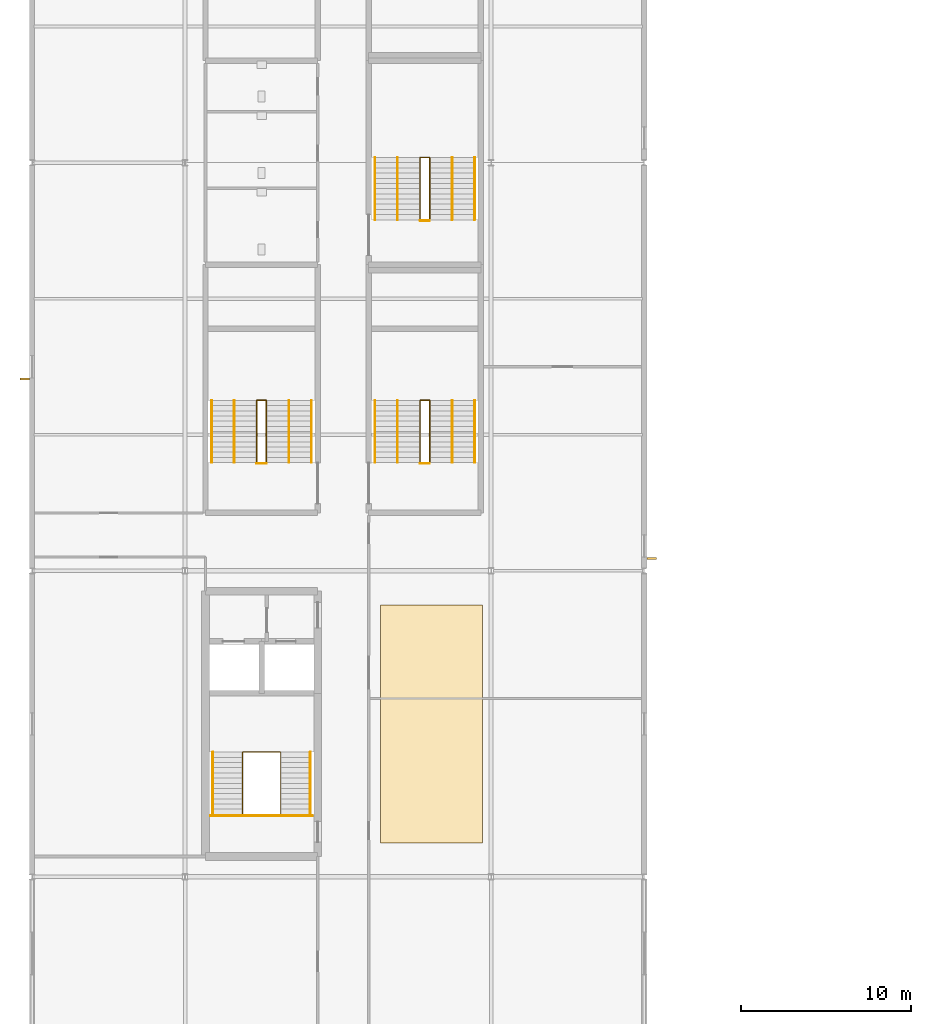
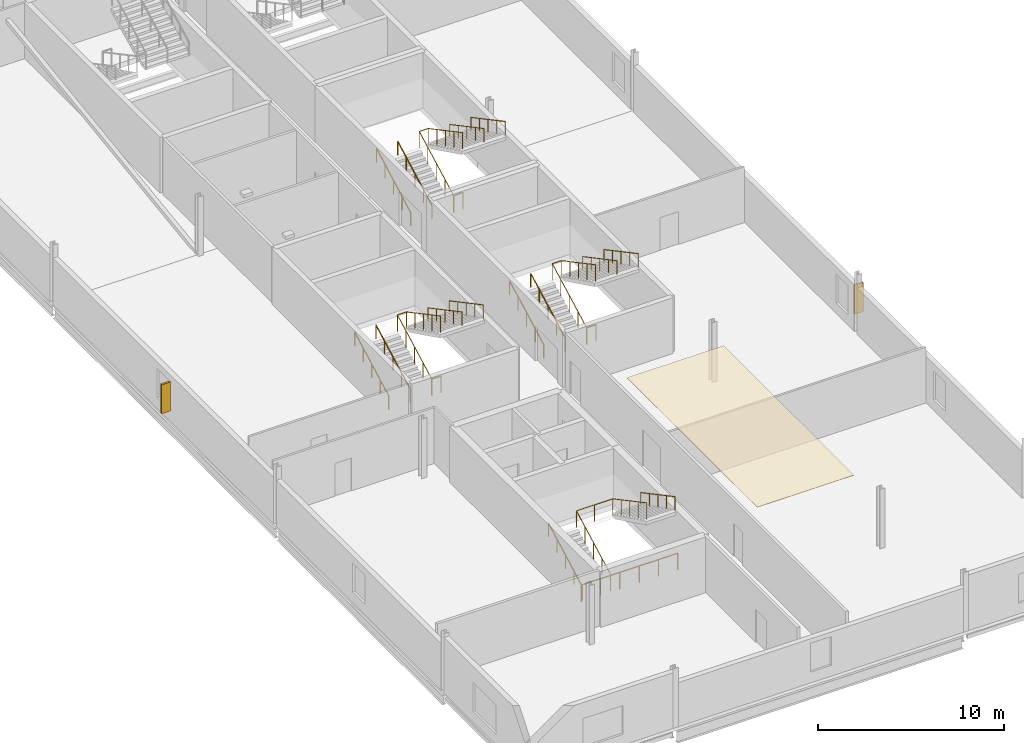
# One storey, part 23 of 27: 22 railings, 2 shading devices, 1 covering.
"""IFC4 building model written with IfcOpenShell, lengths in metres."""

import ifcopenshell
import ifcopenshell.guid

model = None  # the IFC model being written
_history = None  # IfcOwnerHistory: only IFC2X3 demands one
_inside = {}  # id of a spatial element -> (the spatial element, [elements in it])
_under = {}  # id of a project, library or spatial element -> (it, [spatial elements below it])
_declared = {}  # id of a project -> (the project, [libraries it declares])
_typed = {}  # id of a type object -> (the type object, [elements of that type])
_made_of = {}  # id of a material, layer set ... -> (it, [elements and type objects made of it])


def new_model(schema):
    """Start an empty IFC model of exactly this schema.

    Asked for "IFC4X3", IfcOpenShell would pick the latest addendum, in which some entities
    have other attributes; the version numbers below select the first issue.
    IFC2X3 requires an IfcOwnerHistory on every rooted entity: one is made here for all.
    """
    global model, _history
    if schema == "IFC4X3":
        model = ifcopenshell.file(schema_version=(4, 3, 0, 0))
    else:
        model = ifcopenshell.file(schema=schema)
    _inside.clear()
    _under.clear()
    _declared.clear()
    _typed.clear()
    _made_of.clear()
    _history = None
    if model.schema == "IFC2X3":
        org = make("IfcOrganization", Name="unknown")
        user = make(
            "IfcPersonAndOrganization",
            ThePerson=make("IfcPerson", FamilyName="unknown"),
            TheOrganization=org,
        )
        app = make(
            "IfcApplication",
            ApplicationDeveloper=org,
            Version="unknown",
            ApplicationFullName="unknown",
            ApplicationIdentifier="unknown",
        )
        _history = make(
            "IfcOwnerHistory",
            OwningUser=user,
            OwningApplication=app,
            ChangeAction="ADDED",
            CreationDate=0,
        )
    return model


def make(cls, **values):
    """One entity of the class cls with the attributes given. An attribute that is None is left unset."""
    return model.create_entity(
        cls, **{name: value for name, value in values.items() if value is not None}
    )


def rooted(cls, **values):
    """An entity with a GlobalId (a new one), such as an element, a storey or a relation."""
    return make(cls, GlobalId=ifcopenshell.guid.new(), OwnerHistory=_history, **values)


def si_unit(unit_type, name, prefix=None):
    """IfcSIUnit, for example si_unit("LENGTHUNIT", "METRE", prefix="MILLI")."""
    return make("IfcSIUnit", UnitType=unit_type, Prefix=prefix, Name=name)


def assignment(units):
    """IfcUnitAssignment: the units of a project."""
    return None if units is None else make("IfcUnitAssignment", Units=units)


def point(xyz):
    """IfcCartesianPoint."""
    return None if xyz is None else make("IfcCartesianPoint", Coordinates=xyz)


def direction(xyz):
    """IfcDirection."""
    return None if xyz is None else make("IfcDirection", DirectionRatios=xyz)


def frame(location, z_axis=None, x_axis=None):
    """IfcAxis2Placement3D, a coordinate frame: its origin and axes. An axis left out is left unset."""
    return make(
        "IfcAxis2Placement3D",
        Location=point(location),
        Axis=direction(z_axis),
        RefDirection=direction(x_axis),
    )


def frame_2d(location, x_axis=None):
    """IfcAxis2Placement2D, a coordinate frame in the plane: its origin and x axis."""
    return make(
        "IfcAxis2Placement2D", Location=point(location), RefDirection=direction(x_axis)
    )


def origin():
    """The frame at (0, 0, 0) with its axes left unset."""
    return frame((0.0, 0.0, 0.0))


def origin_2d():
    """The frame at (0, 0) in the plane with its x axis left unset."""
    return frame_2d((0.0, 0.0))


def place(relative_to, where):
    """IfcLocalPlacement: puts the frame where relative to a parent placement (None: the world)."""
    return make(
        "IfcLocalPlacement", PlacementRelTo=relative_to, RelativePlacement=where
    )


def context(
    kind, dimensions, precision=None, world=None, true_north=None, identifier=None
):
    """IfcGeometricRepresentationContext, for example the 3D "Model" context."""
    return make(
        "IfcGeometricRepresentationContext",
        ContextIdentifier=identifier,
        ContextType=kind,
        CoordinateSpaceDimension=dimensions,
        Precision=precision,
        WorldCoordinateSystem=world,
        TrueNorth=true_north,
    )


def subcontext(parent, identifier, kind, view, scale=None):
    """IfcGeometricRepresentationSubContext, for example "Body" below "Model"."""
    return make(
        "IfcGeometricRepresentationSubContext",
        ContextIdentifier=identifier,
        ContextType=kind,
        ParentContext=parent,
        TargetScale=scale,
        TargetView=view,
    )


def project(units=None, contexts=None):
    """IfcProject with its units and contexts."""
    return rooted(
        "IfcProject",
        Name="project",
        RepresentationContexts=contexts,
        UnitsInContext=assignment(units),
    )


def spatial(cls, under=None, at=None, **own):
    """A site, building, storey or space (cls), placed at a placement, below another one or the project."""
    s = rooted(cls, ObjectPlacement=at, **own)
    if under is not None:
        _under.setdefault(under.id(), (under, []))[1].append(s)
    return s


def polyline(points):
    """IfcPolyline through the points."""
    return make("IfcPolyline", Points=[point(p) for p in points])


def profile(cls, at=None, kind="AREA", **sizes):
    """A parametric profile (cls). Its sizes go by their IFC names, for example OverallWidth=200.0."""
    return make(cls, ProfileType=kind, Position=at, **sizes)


def rectangle(**sizes):
    """IfcRectangleProfileDef."""
    return profile("IfcRectangleProfileDef", **sizes)


def circle(**sizes):
    """IfcCircleProfileDef."""
    return profile("IfcCircleProfileDef", **sizes)


def outline(outer, holes=None, kind="AREA"):
    """IfcArbitraryClosedProfileDef: a profile drawn as a closed curve; with holes, ...WithVoids."""
    if holes is None:
        return make("IfcArbitraryClosedProfileDef", ProfileType=kind, OuterCurve=outer)
    return make(
        "IfcArbitraryProfileDefWithVoids",
        ProfileType=kind,
        OuterCurve=outer,
        InnerCurves=holes,
    )


def extrude(swept, where, along, depth):
    """IfcExtrudedAreaSolid: the profile swept, set in the frame where, extruded along a direction by depth."""
    return make(
        "IfcExtrudedAreaSolid",
        SweptArea=swept,
        Position=where,
        ExtrudedDirection=direction(along),
        Depth=depth,
    )


def shape(context_of_items, identifier, shape_type, items):
    """IfcShapeRepresentation: the items that make up one representation, for example the "Body"."""
    return make(
        "IfcShapeRepresentation",
        ContextOfItems=context_of_items,
        RepresentationIdentifier=identifier,
        RepresentationType=shape_type,
        Items=items,
    )


def material(Name=None, Category=None):
    """IfcMaterial."""
    return make("IfcMaterial", Name=Name, Category=Category)


def layer(
    of_material, thickness, ventilated=None, Name=None, Category=None, Priority=None
):
    """IfcMaterialLayer: one layer of a wall or slab, of a material (None: an air gap)."""
    return make(
        "IfcMaterialLayer",
        Material=of_material,
        LayerThickness=thickness,
        IsVentilated=ventilated,
        Name=Name,
        Category=Category,
        Priority=Priority,
    )


def layer_set(layers, Name=None):
    """IfcMaterialLayerSet."""
    return make("IfcMaterialLayerSet", MaterialLayers=layers, LayerSetName=Name)


def made_of(thing, what):
    """Note that an element or type object is made of a material, layer set ...; save() writes the relation."""
    if what is not None:
        _made_of.setdefault(what.id(), (what, []))[1].append(thing)
    return thing


def type_object(cls, material=None, **own):
    """A type object (cls), such as IfcWallType, which elements share."""
    return made_of(rooted(cls, **own), material)


def element(
    cls,
    number,
    at=None,
    inside=None,
    cuts=None,
    type_object=None,
    material=None,
    context=None,
    identifier="Body",
    shape_type=None,
    held_by="IfcProductDefinitionShape",
    body=None,
    shapes=None,
    **own,
):
    """One element of the class cls, such as IfcWall. Its Tag is "e" and its number.

    at: its placement. inside: the storey or other place that contains it. cuts: it is an
    opening in that element (IfcRelVoidsElement). A single representation is given by context,
    identifier, shape_type and body (its items); several are given by shapes. held_by: the class
    of the entity that holds the representations. save() writes the other relations.
    """
    e = rooted(cls, Tag="e%d" % number, ObjectPlacement=at, **own)
    if body is not None:
        shapes = [shape(context, identifier, shape_type, body)]
    if shapes is not None:
        e.Representation = make(held_by, Representations=shapes)
    if inside is not None:
        _inside.setdefault(inside.id(), (inside, []))[1].append(e)
    if cuts is not None:
        rooted(
            "IfcRelVoidsElement", RelatingBuildingElement=cuts, RelatedOpeningElement=e
        )
    if type_object is not None:
        _typed.setdefault(type_object.id(), (type_object, []))[1].append(e)
    return made_of(e, material)


def aggregate(whole, parts):
    """IfcRelAggregates: a whole, such as a stair, and the parts it consists of."""
    return rooted("IfcRelAggregates", RelatingObject=whole, RelatedObjects=parts)


def save(model, path):
    """Write the relations noted so far, then the file.

    IfcRelAggregates (storeys below a building ...), IfcRelContainedInSpatialStructure (elements
    in a storey), IfcRelDefinesByType, IfcRelAssociatesMaterial and IfcRelDeclares: one each for
    every whole, place, type object, material and project.
    """
    for whole, parts in _under.values():
        aggregate(whole, parts)
    for where, things in _inside.values():
        rooted(
            "IfcRelContainedInSpatialStructure",
            RelatedElements=things,
            RelatingStructure=where,
        )
    for kind, things in _typed.values():
        rooted("IfcRelDefinesByType", RelatedObjects=things, RelatingType=kind)
    for what, things in _made_of.values():
        rooted("IfcRelAssociatesMaterial", RelatedObjects=things, RelatingMaterial=what)
    for by, libraries in _declared.values():
        rooted("IfcRelDeclares", RelatingContext=by, RelatedDefinitions=libraries)
    model.write(path)


model = new_model("IFC4")

# Units and contexts
model_context = context("Model", 3, precision=1e-05, world=origin(), true_north=direction((0.0, 1.0)))
body_context = subcontext(model_context, "Body", "Model", "MODEL_VIEW")
ifc_project = project(units=[si_unit("LENGTHUNIT", "METRE"), si_unit("AREAUNIT", "SQUARE_METRE"), si_unit("VOLUMEUNIT", "CUBIC_METRE"), si_unit("PLANEANGLEUNIT", "RADIAN"), si_unit("MASSUNIT", "GRAM", prefix="KILO")], contexts=[model_context])

# Site, building, storey
site_placement = place(None, origin())
site = spatial("IfcSite", under=ifc_project, at=site_placement, CompositionType="ELEMENT")
building_placement = place(site_placement, origin())
building = spatial("IfcBuilding", under=site, at=building_placement, Name="Kisiwana Market Hall", CompositionType="ELEMENT")
storey_placement = place(building_placement, frame((0.0, 0.0, 41.699951171875)))
storey = spatial("IfcBuildingStorey", under=building, at=storey_placement, Name="L09", CompositionType="ELEMENT", Elevation=41.699951171875)

# Covering
ifc_material_1 = material(Name="Mineral-fibre acoustic ceiling board")
ifc_layer = layer(ifc_material_1, 0.02490234375)
ifc_layer_set = layer_set([ifc_layer], Name="COV-CEIL-AC")
covering_type = type_object("IfcCoveringType", Name="COV-CEIL-AC", PredefinedType="CEILING", material=ifc_layer_set)
covering_placement = place(storey_placement, frame((0.0, 0.0, 3.630126953125)))
element("IfcCovering", 1, at=covering_placement, inside=storey, type_object=covering_type, Name="Acoustic ceiling grid L09-023", PredefinedType="CEILING", context=body_context, shape_type="SweptSolid", body=[
    extrude(outline(polyline([(20.5, 20.0), (26.5, 20.0), (26.5, 34.0), (20.5, 34.0), (20.5, 20.0)])), origin(), (0.0, 0.0, 1.0), 0.02490234375),
])

# Railings
ifc_material_2 = material(Name="Steel S275", Category="steel")
railing_type_1 = type_object("IfcRailingType", Name="RL-GUARD-1100", PredefinedType="GUARDRAIL", material=ifc_material_2)
railing_1_placement = place(storey_placement, frame((12.375, 21.674560546875, 0.0)))
element("IfcRailing", 2, at=railing_1_placement, inside=storey, type_object=railing_type_1, Name="Stair ST-W2-L09 inner-well guardrail (RL-1207)", PredefinedType="GUARDRAIL", context=body_context, shape_type="SweptSolid", body=[
    extrude(circle(Radius=0.02392578125, at=origin_2d()), frame((0.0, 0.0, 1.076171875), z_axis=(0.0, 0.88255331184, 0.47021234752), x_axis=(-1.0, 0.0, 0.0)), (0.0, 0.0, 1.0), 4.14697265625),
    extrude(circle(Radius=0.02392578125, at=origin_2d()), frame((0.0, 3.659912109375, 3.02587890625), z_axis=(1.0, 0.0, 0.0), x_axis=(0.0, 1.0, 0.0)), (0.0, 0.0, 1.0), 2.25),
    extrude(circle(Radius=0.02392578125, at=origin_2d()), frame((2.25, 3.659912109375, 3.02587890625), z_axis=(0.0, -0.882528880096, 0.470258201201), x_axis=(1.0, 0.0, 0.0)), (0.0, 0.0, 1.0), 4.14697265625),
    extrude(circle(Radius=0.02099609375, at=origin_2d()), origin(), (0.0, 0.0, 1.0), 1.052001953125),
    extrude(circle(Radius=0.02099609375, at=origin_2d()), frame((0.0, 0.9150390625, 0.487548828125)), (0.0, 0.0, 1.0), 1.052001953125),
    extrude(circle(Radius=0.02099609375, at=origin_2d()), frame((0.0, 1.830078125, 0.97509765625)), (0.0, 0.0, 1.0), 1.052001953125),
    extrude(circle(Radius=0.02099609375, at=origin_2d()), frame((0.0, 2.744873046875, 1.46240234375)), (0.0, 0.0, 1.0), 1.052001953125),
    extrude(circle(Radius=0.02099609375, at=origin_2d()), frame((0.0, 3.659912109375, 1.949951171875)), (0.0, 0.0, 1.0), 1.052001953125),
    extrude(circle(Radius=0.02099609375, at=origin_2d()), frame((1.125, 3.659912109375, 1.949951171875)), (0.0, 0.0, 1.0), 1.052001953125),
    extrude(circle(Radius=0.02099609375, at=origin_2d()), frame((2.25, 3.659912109375, 1.949951171875)), (0.0, 0.0, 1.0), 1.052001953125),
    extrude(circle(Radius=0.02099609375, at=origin_2d()), frame((2.25, 2.744873046875, 2.4375)), (0.0, 0.0, 1.0), 1.052001953125),
    extrude(circle(Radius=0.02099609375, at=origin_2d()), frame((2.25, 1.830078125, 2.925048828125)), (0.0, 0.0, 1.0), 1.052001953125),
    extrude(circle(Radius=0.02099609375, at=origin_2d()), frame((2.25, 0.9150390625, 3.41259765625)), (0.0, 0.0, 1.0), 1.052001953125),
    extrude(circle(Radius=0.02099609375, at=origin_2d()), frame((2.25, 0.0, 3.900146484375)), (0.0, 0.0, 1.0), 1.052001953125),
])
railing_2_placement = place(storey_placement, frame((10.5048828125, 21.594482421875, 0.0)))
element("IfcRailing", 3, at=railing_2_placement, inside=storey, type_object=railing_type_1, Name="Stair ST-W2-L09 landing edge guardrail (RL-1210)", PredefinedType="GUARDRAIL", context=body_context, shape_type="SweptSolid", body=[
    extrude(circle(Radius=0.02392578125, at=origin_2d()), frame((0.0, 0.0, 1.076171875), z_axis=(1.0, 0.0, 0.0), x_axis=(0.0, 1.0, 0.0)), (0.0, 0.0, 1.0), 5.990234375),
    extrude(circle(Radius=0.02099609375, at=origin_2d()), origin(), (0.0, 0.0, 1.0), 1.052001953125),
    extrude(circle(Radius=0.02099609375, at=origin_2d()), frame((1.197998046875, 0.0, 0.0)), (0.0, 0.0, 1.0), 1.052001953125),
    extrude(circle(Radius=0.02099609375, at=origin_2d()), frame((2.39599609375, 0.0, 0.0)), (0.0, 0.0, 1.0), 1.052001953125),
    extrude(circle(Radius=0.02099609375, at=origin_2d()), frame((3.59423828125, 0.0, 0.0)), (0.0, 0.0, 1.0), 1.052001953125),
    extrude(circle(Radius=0.02099609375, at=origin_2d()), frame((4.792236328125, 0.0, 0.0)), (0.0, 0.0, 1.0), 1.052001953125),
    extrude(circle(Radius=0.02099609375, at=origin_2d()), frame((5.990234375, 0.0, 0.0)), (0.0, 0.0, 1.0), 1.052001953125),
])
railing_3_placement = place(storey_placement, frame((13.219970703125, 42.360107421875, 0.0)))
element("IfcRailing", 4, at=railing_3_placement, inside=storey, type_object=railing_type_1, Name="Stair ST-W3-L09 inner-well guardrail (RL-1223)", PredefinedType="GUARDRAIL", context=body_context, shape_type="SweptSolid", body=[
    extrude(circle(Radius=0.02392578125, at=origin_2d()), frame((0.0, 0.0, 1.076171875), z_axis=(0.0, 0.88255331184, 0.47021234752), x_axis=(-1.0, 0.0, 0.0)), (0.0, 0.0, 1.0), 4.14697265625),
    extrude(circle(Radius=0.02392578125, at=origin_2d()), frame((0.0, 3.659912109375, 3.02587890625), z_axis=(1.0, 0.0, 0.0), x_axis=(0.0, 1.0, 0.0)), (0.0, 0.0, 1.0), 0.56005859375),
    extrude(circle(Radius=0.02392578125, at=origin_2d()), frame((0.56005859375, 3.659912109375, 3.02587890625), z_axis=(0.0, -0.882528880096, 0.470258201201), x_axis=(1.0, 0.0, 0.0)), (0.0, 0.0, 1.0), 4.14697265625),
    extrude(circle(Radius=0.02099609375, at=origin_2d()), origin(), (0.0, 0.0, 1.0), 1.052001953125),
    extrude(circle(Radius=0.02099609375, at=origin_2d()), frame((0.0, 0.9150390625, 0.487548828125)), (0.0, 0.0, 1.0), 1.052001953125),
    extrude(circle(Radius=0.02099609375, at=origin_2d()), frame((0.0, 1.830078125, 0.97509765625)), (0.0, 0.0, 1.0), 1.052001953125),
    extrude(circle(Radius=0.02099609375, at=origin_2d()), frame((0.0, 2.744873046875, 1.46240234375)), (0.0, 0.0, 1.0), 1.052001953125),
    extrude(circle(Radius=0.02099609375, at=origin_2d()), frame((0.0, 3.659912109375, 1.949951171875)), (0.0, 0.0, 1.0), 1.052001953125),
    extrude(circle(Radius=0.02099609375, at=origin_2d()), frame((0.56005859375, 3.659912109375, 1.949951171875)), (0.0, 0.0, 1.0), 1.052001953125),
    extrude(circle(Radius=0.02099609375, at=origin_2d()), frame((0.56005859375, 2.744873046875, 2.4375)), (0.0, 0.0, 1.0), 1.052001953125),
    extrude(circle(Radius=0.02099609375, at=origin_2d()), frame((0.56005859375, 1.830078125, 2.925048828125)), (0.0, 0.0, 1.0), 1.052001953125),
    extrude(circle(Radius=0.02099609375, at=origin_2d()), frame((0.56005859375, 0.9150390625, 3.41259765625)), (0.0, 0.0, 1.0), 1.052001953125),
    extrude(circle(Radius=0.02099609375, at=origin_2d()), frame((0.56005859375, 0.0, 3.900146484375)), (0.0, 0.0, 1.0), 1.052001953125),
])
railing_4_placement = place(storey_placement, frame((13.219970703125, 42.31005859375, 0.0)))
element("IfcRailing", 5, at=railing_4_placement, inside=storey, type_object=railing_type_1, Name="Stair ST-W3-L09 landing edge guardrail (RL-1228)", PredefinedType="GUARDRAIL", context=body_context, shape_type="SweptSolid", body=[
    extrude(circle(Radius=0.02392578125, at=origin_2d()), frame((0.0, 0.0, 1.076171875), z_axis=(1.0, 0.0, 0.0), x_axis=(0.0, 1.0, 0.0)), (0.0, 0.0, 1.0), 0.56005859375),
    extrude(circle(Radius=0.02099609375, at=origin_2d()), origin(), (0.0, 0.0, 1.0), 1.052001953125),
    extrude(circle(Radius=0.02099609375, at=origin_2d()), frame((0.56005859375, 0.0, 0.0)), (0.0, 0.0, 1.0), 1.052001953125),
])
railing_5_placement = place(storey_placement, frame((22.820068359375, 42.360107421875, 0.0)))
element("IfcRailing", 6, at=railing_5_placement, inside=storey, type_object=railing_type_1, Name="Stair ST-W7-L09 inner-well guardrail (RL-1247)", PredefinedType="GUARDRAIL", context=body_context, shape_type="SweptSolid", body=[
    extrude(circle(Radius=0.02392578125, at=origin_2d()), frame((0.0, 0.0, 1.076171875), z_axis=(0.0, 0.88255331184, 0.47021234752), x_axis=(-1.0, 0.0, 0.0)), (0.0, 0.0, 1.0), 4.14697265625),
    extrude(circle(Radius=0.02392578125, at=origin_2d()), frame((0.0, 3.659912109375, 3.02587890625), z_axis=(1.0, 0.0, 0.0), x_axis=(0.0, 1.0, 0.0)), (0.0, 0.0, 1.0), 0.559814453125),
    extrude(circle(Radius=0.02392578125, at=origin_2d()), frame((0.559814453125, 3.659912109375, 3.02587890625), z_axis=(0.0, -0.882528880096, 0.470258201201), x_axis=(1.0, 0.0, 0.0)), (0.0, 0.0, 1.0), 4.14697265625),
    extrude(circle(Radius=0.02099609375, at=origin_2d()), origin(), (0.0, 0.0, 1.0), 1.052001953125),
    extrude(circle(Radius=0.02099609375, at=origin_2d()), frame((0.0, 0.9150390625, 0.487548828125)), (0.0, 0.0, 1.0), 1.052001953125),
    extrude(circle(Radius=0.02099609375, at=origin_2d()), frame((0.0, 1.830078125, 0.97509765625)), (0.0, 0.0, 1.0), 1.052001953125),
    extrude(circle(Radius=0.02099609375, at=origin_2d()), frame((0.0, 2.744873046875, 1.46240234375)), (0.0, 0.0, 1.0), 1.052001953125),
    extrude(circle(Radius=0.02099609375, at=origin_2d()), frame((0.0, 3.659912109375, 1.949951171875)), (0.0, 0.0, 1.0), 1.052001953125),
    extrude(circle(Radius=0.02099609375, at=origin_2d()), frame((0.559814453125, 3.659912109375, 1.949951171875)), (0.0, 0.0, 1.0), 1.052001953125),
    extrude(circle(Radius=0.02099609375, at=origin_2d()), frame((0.559814453125, 2.744873046875, 2.4375)), (0.0, 0.0, 1.0), 1.052001953125),
    extrude(circle(Radius=0.02099609375, at=origin_2d()), frame((0.559814453125, 1.830078125, 2.925048828125)), (0.0, 0.0, 1.0), 1.052001953125),
    extrude(circle(Radius=0.02099609375, at=origin_2d()), frame((0.559814453125, 0.9150390625, 3.41259765625)), (0.0, 0.0, 1.0), 1.052001953125),
    extrude(circle(Radius=0.02099609375, at=origin_2d()), frame((0.559814453125, 0.0, 3.900146484375)), (0.0, 0.0, 1.0), 1.052001953125),
])
railing_6_placement = place(storey_placement, frame((22.820068359375, 42.31005859375, 0.0)))
element("IfcRailing", 7, at=railing_6_placement, inside=storey, type_object=railing_type_1, Name="Stair ST-W7-L09 landing edge guardrail (RL-1252)", PredefinedType="GUARDRAIL", context=body_context, shape_type="SweptSolid", body=[
    extrude(circle(Radius=0.02392578125, at=origin_2d()), frame((0.0, 0.0, 1.076171875), z_axis=(1.0, 0.0, 0.0), x_axis=(0.0, 1.0, 0.0)), (0.0, 0.0, 1.0), 0.559814453125),
    extrude(circle(Radius=0.02099609375, at=origin_2d()), origin(), (0.0, 0.0, 1.0), 1.052001953125),
    extrude(circle(Radius=0.02099609375, at=origin_2d()), frame((0.559814453125, 0.0, 0.0)), (0.0, 0.0, 1.0), 1.052001953125),
])
railing_7_placement = place(storey_placement, frame((22.820068359375, 56.639892578125, 0.0)))
element("IfcRailing", 8, at=railing_7_placement, inside=storey, type_object=railing_type_1, Name="Stair ST-W5-L09 inner-well guardrail (RL-1271)", PredefinedType="GUARDRAIL", context=body_context, shape_type="SweptSolid", body=[
    extrude(circle(Radius=0.02392578125, at=origin_2d()), frame((0.0, 0.0, 1.076171875), z_axis=(0.0, 0.882566327451, 0.470187917379), x_axis=(-1.0, 0.0, 0.0)), (0.0, 0.0, 1.0), 4.147216796875),
    extrude(circle(Radius=0.02392578125, at=origin_2d()), frame((0.0, 3.66015625, 3.02587890625), z_axis=(1.0, 0.0, 0.0), x_axis=(0.0, 1.0, 0.0)), (0.0, 0.0, 1.0), 0.559814453125),
    extrude(circle(Radius=0.02392578125, at=origin_2d()), frame((0.559814453125, 3.66015625, 3.02587890625), z_axis=(0.0, -0.882541897885, 0.470233770031), x_axis=(1.0, 0.0, 0.0)), (0.0, 0.0, 1.0), 4.147216796875),
    extrude(circle(Radius=0.02099609375, at=origin_2d()), origin(), (0.0, 0.0, 1.0), 1.052001953125),
    extrude(circle(Radius=0.02099609375, at=origin_2d()), frame((0.0, 0.9150390625, 0.487548828125)), (0.0, 0.0, 1.0), 1.052001953125),
    extrude(circle(Radius=0.02099609375, at=origin_2d()), frame((0.0, 1.830078125, 0.97509765625)), (0.0, 0.0, 1.0), 1.052001953125),
    extrude(circle(Radius=0.02099609375, at=origin_2d()), frame((0.0, 2.7451171875, 1.46240234375)), (0.0, 0.0, 1.0), 1.052001953125),
    extrude(circle(Radius=0.02099609375, at=origin_2d()), frame((0.0, 3.66015625, 1.949951171875)), (0.0, 0.0, 1.0), 1.052001953125),
    extrude(circle(Radius=0.02099609375, at=origin_2d()), frame((0.559814453125, 3.66015625, 1.949951171875)), (0.0, 0.0, 1.0), 1.052001953125),
    extrude(circle(Radius=0.02099609375, at=origin_2d()), frame((0.559814453125, 2.7451171875, 2.4375)), (0.0, 0.0, 1.0), 1.052001953125),
    extrude(circle(Radius=0.02099609375, at=origin_2d()), frame((0.559814453125, 1.830078125, 2.925048828125)), (0.0, 0.0, 1.0), 1.052001953125),
    extrude(circle(Radius=0.02099609375, at=origin_2d()), frame((0.559814453125, 0.9150390625, 3.41259765625)), (0.0, 0.0, 1.0), 1.052001953125),
    extrude(circle(Radius=0.02099609375, at=origin_2d()), frame((0.559814453125, 0.0, 3.900146484375)), (0.0, 0.0, 1.0), 1.052001953125),
])
railing_8_placement = place(storey_placement, frame((22.820068359375, 56.590087890625, 0.0)))
element("IfcRailing", 9, at=railing_8_placement, inside=storey, type_object=railing_type_1, Name="Stair ST-W5-L09 landing edge guardrail (RL-1276)", PredefinedType="GUARDRAIL", context=body_context, shape_type="SweptSolid", body=[
    extrude(circle(Radius=0.02392578125, at=origin_2d()), frame((0.0, 0.0, 1.076171875), z_axis=(1.0, 0.0, 0.0), x_axis=(0.0, 1.0, 0.0)), (0.0, 0.0, 1.0), 0.559814453125),
    extrude(circle(Radius=0.02099609375, at=origin_2d()), origin(), (0.0, 0.0, 1.0), 1.052001953125),
    extrude(circle(Radius=0.02099609375, at=origin_2d()), frame((0.559814453125, 0.0, 0.0)), (0.0, 0.0, 1.0), 1.052001953125),
])
ifc_material_3 = material(Name="Steel S275", Category="steel")
railing_type_2 = type_object("IfcRailingType", Name="RL-HAND-900", PredefinedType="HANDRAIL", material=ifc_material_3)
railing_9_placement = place(storey_placement, frame((10.635009765625, 21.674560546875, 0.0)))
element("IfcRailing", 10, at=railing_9_placement, inside=storey, type_object=railing_type_2, Name="Stair ST-W2-L09 flight 1 handrail (RL-1208)", PredefinedType="HANDRAIL", context=body_context, shape_type="SweptSolid", body=[
    extrude(circle(Radius=0.02392578125, at=origin_2d()), frame((0.0, 0.0, 0.8759765625), z_axis=(0.0, 0.88255331184, 0.47021234752), x_axis=(-1.0, 0.0, 0.0)), (0.0, 0.0, 1.0), 4.14697265625),
    extrude(circle(Radius=0.02099609375, at=origin_2d()), origin(), (0.0, 0.0, 1.0), 0.851806640625),
    extrude(circle(Radius=0.02099609375, at=origin_2d()), frame((0.0, 0.9150390625, 0.487548828125)), (0.0, 0.0, 1.0), 0.851806640625),
    extrude(circle(Radius=0.02099609375, at=origin_2d()), frame((0.0, 1.830078125, 0.97509765625)), (0.0, 0.0, 1.0), 0.851806640625),
    extrude(circle(Radius=0.02099609375, at=origin_2d()), frame((0.0, 2.744873046875, 1.46240234375)), (0.0, 0.0, 1.0), 0.851806640625),
    extrude(circle(Radius=0.02099609375, at=origin_2d()), frame((0.0, 3.659912109375, 1.949951171875)), (0.0, 0.0, 1.0), 0.851806640625),
])
railing_10_placement = place(storey_placement, frame((16.364990234375, 25.33447265625, 1.949951171875)))
element("IfcRailing", 11, at=railing_10_placement, inside=storey, type_object=railing_type_2, Name="Stair ST-W2-L09 flight 2 handrail (RL-1209)", PredefinedType="HANDRAIL", context=body_context, shape_type="SweptSolid", body=[
    extrude(circle(Radius=0.02392578125, at=origin_2d()), frame((0.0, 0.0, 0.8759765625), z_axis=(0.0, -0.882528880096, 0.470258201201), x_axis=(1.0, 0.0, 0.0)), (0.0, 0.0, 1.0), 4.14697265625),
    extrude(circle(Radius=0.02099609375, at=origin_2d()), origin(), (0.0, 0.0, 1.0), 0.851806640625),
    extrude(circle(Radius=0.02099609375, at=origin_2d()), frame((0.0, -0.9150390625, 0.487548828125)), (0.0, 0.0, 1.0), 0.851806640625),
    extrude(circle(Radius=0.02099609375, at=origin_2d()), frame((0.0, -1.830078125, 0.97509765625)), (0.0, 0.0, 1.0), 0.851806640625),
    extrude(circle(Radius=0.02099609375, at=origin_2d()), frame((0.0, -2.744873046875, 1.462646484375)), (0.0, 0.0, 1.0), 0.851806640625),
    extrude(circle(Radius=0.02099609375, at=origin_2d()), frame((0.0, -3.659912109375, 1.9501953125)), (0.0, 0.0, 1.0), 0.851806640625),
])
railing_11_placement = place(storey_placement, frame((10.570068359375, 42.360107421875, 0.0)))
element("IfcRailing", 12, at=railing_11_placement, inside=storey, type_object=railing_type_2, Name="Stair ST-W3-L09 flight 1 handrail (RL-1224)", PredefinedType="HANDRAIL", context=body_context, shape_type="SweptSolid", body=[
    extrude(circle(Radius=0.02392578125, at=origin_2d()), frame((0.0, 0.0, 0.8759765625), z_axis=(0.0, 0.88255331184, 0.47021234752), x_axis=(-1.0, 0.0, 0.0)), (0.0, 0.0, 1.0), 4.14697265625),
    extrude(circle(Radius=0.02099609375, at=origin_2d()), origin(), (0.0, 0.0, 1.0), 0.851806640625),
    extrude(circle(Radius=0.02099609375, at=origin_2d()), frame((0.0, 0.9150390625, 0.487548828125)), (0.0, 0.0, 1.0), 0.851806640625),
    extrude(circle(Radius=0.02099609375, at=origin_2d()), frame((0.0, 1.830078125, 0.97509765625)), (0.0, 0.0, 1.0), 0.851806640625),
    extrude(circle(Radius=0.02099609375, at=origin_2d()), frame((0.0, 2.744873046875, 1.46240234375)), (0.0, 0.0, 1.0), 0.851806640625),
    extrude(circle(Radius=0.02099609375, at=origin_2d()), frame((0.0, 3.659912109375, 1.949951171875)), (0.0, 0.0, 1.0), 0.851806640625),
])
railing_12_placement = place(storey_placement, frame((16.429931640625, 46.02001953125, 1.949951171875)))
element("IfcRailing", 13, at=railing_12_placement, inside=storey, type_object=railing_type_2, Name="Stair ST-W3-L09 flight 2 handrail (RL-1225)", PredefinedType="HANDRAIL", context=body_context, shape_type="SweptSolid", body=[
    extrude(circle(Radius=0.02392578125, at=origin_2d()), frame((0.0, 0.0, 0.8759765625), z_axis=(0.0, -0.882528880096, 0.470258201201), x_axis=(1.0, 0.0, 0.0)), (0.0, 0.0, 1.0), 4.14697265625),
    extrude(circle(Radius=0.02099609375, at=origin_2d()), origin(), (0.0, 0.0, 1.0), 0.851806640625),
    extrude(circle(Radius=0.02099609375, at=origin_2d()), frame((0.0, -0.9150390625, 0.487548828125)), (0.0, 0.0, 1.0), 0.851806640625),
    extrude(circle(Radius=0.02099609375, at=origin_2d()), frame((0.0, -1.830078125, 0.97509765625)), (0.0, 0.0, 1.0), 0.851806640625),
    extrude(circle(Radius=0.02099609375, at=origin_2d()), frame((0.0, -2.744873046875, 1.462646484375)), (0.0, 0.0, 1.0), 0.851806640625),
    extrude(circle(Radius=0.02099609375, at=origin_2d()), frame((0.0, -3.659912109375, 1.9501953125)), (0.0, 0.0, 1.0), 0.851806640625),
])
railing_13_placement = place(storey_placement, frame((11.889892578125, 42.360107421875, 0.0)))
element("IfcRailing", 14, at=railing_13_placement, inside=storey, type_object=railing_type_2, Name="Stair ST-W3-L09 flight 1 intermediate handrail (RL-1226)", PredefinedType="HANDRAIL", context=body_context, shape_type="SweptSolid", body=[
    extrude(circle(Radius=0.02392578125, at=origin_2d()), frame((0.0, 0.0, 0.8759765625), z_axis=(0.0, 0.88255331184, 0.47021234752), x_axis=(-1.0, 0.0, 0.0)), (0.0, 0.0, 1.0), 4.14697265625),
    extrude(circle(Radius=0.02099609375, at=origin_2d()), origin(), (0.0, 0.0, 1.0), 0.851806640625),
    extrude(circle(Radius=0.02099609375, at=origin_2d()), frame((0.0, 0.9150390625, 0.487548828125)), (0.0, 0.0, 1.0), 0.851806640625),
    extrude(circle(Radius=0.02099609375, at=origin_2d()), frame((0.0, 1.830078125, 0.97509765625)), (0.0, 0.0, 1.0), 0.851806640625),
    extrude(circle(Radius=0.02099609375, at=origin_2d()), frame((0.0, 2.744873046875, 1.46240234375)), (0.0, 0.0, 1.0), 0.851806640625),
    extrude(circle(Radius=0.02099609375, at=origin_2d()), frame((0.0, 3.659912109375, 1.949951171875)), (0.0, 0.0, 1.0), 0.851806640625),
])
railing_14_placement = place(storey_placement, frame((15.110107421875, 46.02001953125, 1.949951171875)))
element("IfcRailing", 15, at=railing_14_placement, inside=storey, type_object=railing_type_2, Name="Stair ST-W3-L09 flight 2 intermediate handrail (RL-1227)", PredefinedType="HANDRAIL", context=body_context, shape_type="SweptSolid", body=[
    extrude(circle(Radius=0.02392578125, at=origin_2d()), frame((0.0, 0.0, 0.8759765625), z_axis=(0.0, -0.882528880096, 0.470258201201), x_axis=(1.0, 0.0, 0.0)), (0.0, 0.0, 1.0), 4.14697265625),
    extrude(circle(Radius=0.02099609375, at=origin_2d()), origin(), (0.0, 0.0, 1.0), 0.851806640625),
    extrude(circle(Radius=0.02099609375, at=origin_2d()), frame((0.0, -0.9150390625, 0.487548828125)), (0.0, 0.0, 1.0), 0.851806640625),
    extrude(circle(Radius=0.02099609375, at=origin_2d()), frame((0.0, -1.830078125, 0.97509765625)), (0.0, 0.0, 1.0), 0.851806640625),
    extrude(circle(Radius=0.02099609375, at=origin_2d()), frame((0.0, -2.744873046875, 1.462646484375)), (0.0, 0.0, 1.0), 0.851806640625),
    extrude(circle(Radius=0.02099609375, at=origin_2d()), frame((0.0, -3.659912109375, 1.9501953125)), (0.0, 0.0, 1.0), 0.851806640625),
])
railing_15_placement = place(storey_placement, frame((20.169921875, 42.360107421875, 0.0)))
element("IfcRailing", 16, at=railing_15_placement, inside=storey, type_object=railing_type_2, Name="Stair ST-W7-L09 flight 1 handrail (RL-1248)", PredefinedType="HANDRAIL", context=body_context, shape_type="SweptSolid", body=[
    extrude(circle(Radius=0.02392578125, at=origin_2d()), frame((0.0, 0.0, 0.8759765625), z_axis=(0.0, 0.88255331184, 0.47021234752), x_axis=(-1.0, 0.0, 0.0)), (0.0, 0.0, 1.0), 4.14697265625),
    extrude(circle(Radius=0.02099609375, at=origin_2d()), origin(), (0.0, 0.0, 1.0), 0.851806640625),
    extrude(circle(Radius=0.02099609375, at=origin_2d()), frame((0.0, 0.9150390625, 0.487548828125)), (0.0, 0.0, 1.0), 0.851806640625),
    extrude(circle(Radius=0.02099609375, at=origin_2d()), frame((0.0, 1.830078125, 0.97509765625)), (0.0, 0.0, 1.0), 0.851806640625),
    extrude(circle(Radius=0.02099609375, at=origin_2d()), frame((0.0, 2.744873046875, 1.46240234375)), (0.0, 0.0, 1.0), 0.851806640625),
    extrude(circle(Radius=0.02099609375, at=origin_2d()), frame((0.0, 3.659912109375, 1.949951171875)), (0.0, 0.0, 1.0), 0.851806640625),
])
railing_16_placement = place(storey_placement, frame((26.030029296875, 46.02001953125, 1.949951171875)))
element("IfcRailing", 17, at=railing_16_placement, inside=storey, type_object=railing_type_2, Name="Stair ST-W7-L09 flight 2 handrail (RL-1249)", PredefinedType="HANDRAIL", context=body_context, shape_type="SweptSolid", body=[
    extrude(circle(Radius=0.02392578125, at=origin_2d()), frame((0.0, 0.0, 0.8759765625), z_axis=(0.0, -0.882528880096, 0.470258201201), x_axis=(1.0, 0.0, 0.0)), (0.0, 0.0, 1.0), 4.14697265625),
    extrude(circle(Radius=0.02099609375, at=origin_2d()), origin(), (0.0, 0.0, 1.0), 0.851806640625),
    extrude(circle(Radius=0.02099609375, at=origin_2d()), frame((0.0, -0.9150390625, 0.487548828125)), (0.0, 0.0, 1.0), 0.851806640625),
    extrude(circle(Radius=0.02099609375, at=origin_2d()), frame((0.0, -1.830078125, 0.97509765625)), (0.0, 0.0, 1.0), 0.851806640625),
    extrude(circle(Radius=0.02099609375, at=origin_2d()), frame((0.0, -2.744873046875, 1.462646484375)), (0.0, 0.0, 1.0), 0.851806640625),
    extrude(circle(Radius=0.02099609375, at=origin_2d()), frame((0.0, -3.659912109375, 1.9501953125)), (0.0, 0.0, 1.0), 0.851806640625),
])
railing_17_placement = place(storey_placement, frame((21.489990234375, 42.360107421875, 0.0)))
element("IfcRailing", 18, at=railing_17_placement, inside=storey, type_object=railing_type_2, Name="Stair ST-W7-L09 flight 1 intermediate handrail (RL-1250)", PredefinedType="HANDRAIL", context=body_context, shape_type="SweptSolid", body=[
    extrude(circle(Radius=0.02392578125, at=origin_2d()), frame((0.0, 0.0, 0.8759765625), z_axis=(0.0, 0.88255331184, 0.47021234752), x_axis=(-1.0, 0.0, 0.0)), (0.0, 0.0, 1.0), 4.14697265625),
    extrude(circle(Radius=0.02099609375, at=origin_2d()), origin(), (0.0, 0.0, 1.0), 0.851806640625),
    extrude(circle(Radius=0.02099609375, at=origin_2d()), frame((0.0, 0.9150390625, 0.487548828125)), (0.0, 0.0, 1.0), 0.851806640625),
    extrude(circle(Radius=0.02099609375, at=origin_2d()), frame((0.0, 1.830078125, 0.97509765625)), (0.0, 0.0, 1.0), 0.851806640625),
    extrude(circle(Radius=0.02099609375, at=origin_2d()), frame((0.0, 2.744873046875, 1.46240234375)), (0.0, 0.0, 1.0), 0.851806640625),
    extrude(circle(Radius=0.02099609375, at=origin_2d()), frame((0.0, 3.659912109375, 1.949951171875)), (0.0, 0.0, 1.0), 0.851806640625),
])
railing_18_placement = place(storey_placement, frame((24.7099609375, 46.02001953125, 1.949951171875)))
element("IfcRailing", 19, at=railing_18_placement, inside=storey, type_object=railing_type_2, Name="Stair ST-W7-L09 flight 2 intermediate handrail (RL-1251)", PredefinedType="HANDRAIL", context=body_context, shape_type="SweptSolid", body=[
    extrude(circle(Radius=0.02392578125, at=origin_2d()), frame((0.0, 0.0, 0.8759765625), z_axis=(0.0, -0.882528880096, 0.470258201201), x_axis=(1.0, 0.0, 0.0)), (0.0, 0.0, 1.0), 4.14697265625),
    extrude(circle(Radius=0.02099609375, at=origin_2d()), origin(), (0.0, 0.0, 1.0), 0.851806640625),
    extrude(circle(Radius=0.02099609375, at=origin_2d()), frame((0.0, -0.9150390625, 0.487548828125)), (0.0, 0.0, 1.0), 0.851806640625),
    extrude(circle(Radius=0.02099609375, at=origin_2d()), frame((0.0, -1.830078125, 0.97509765625)), (0.0, 0.0, 1.0), 0.851806640625),
    extrude(circle(Radius=0.02099609375, at=origin_2d()), frame((0.0, -2.744873046875, 1.462646484375)), (0.0, 0.0, 1.0), 0.851806640625),
    extrude(circle(Radius=0.02099609375, at=origin_2d()), frame((0.0, -3.659912109375, 1.9501953125)), (0.0, 0.0, 1.0), 0.851806640625),
])
railing_19_placement = place(storey_placement, frame((20.169921875, 56.639892578125, 0.0)))
element("IfcRailing", 20, at=railing_19_placement, inside=storey, type_object=railing_type_2, Name="Stair ST-W5-L09 flight 1 handrail (RL-1272)", PredefinedType="HANDRAIL", context=body_context, shape_type="SweptSolid", body=[
    extrude(circle(Radius=0.02392578125, at=origin_2d()), frame((0.0, 0.0, 0.8759765625), z_axis=(0.0, 0.882566327451, 0.470187917379), x_axis=(-1.0, 0.0, 0.0)), (0.0, 0.0, 1.0), 4.147216796875),
    extrude(circle(Radius=0.02099609375, at=origin_2d()), origin(), (0.0, 0.0, 1.0), 0.851806640625),
    extrude(circle(Radius=0.02099609375, at=origin_2d()), frame((0.0, 0.9150390625, 0.487548828125)), (0.0, 0.0, 1.0), 0.851806640625),
    extrude(circle(Radius=0.02099609375, at=origin_2d()), frame((0.0, 1.830078125, 0.97509765625)), (0.0, 0.0, 1.0), 0.851806640625),
    extrude(circle(Radius=0.02099609375, at=origin_2d()), frame((0.0, 2.7451171875, 1.46240234375)), (0.0, 0.0, 1.0), 0.851806640625),
    extrude(circle(Radius=0.02099609375, at=origin_2d()), frame((0.0, 3.66015625, 1.949951171875)), (0.0, 0.0, 1.0), 0.851806640625),
])
railing_20_placement = place(storey_placement, frame((26.030029296875, 60.300048828125, 1.949951171875)))
element("IfcRailing", 21, at=railing_20_placement, inside=storey, type_object=railing_type_2, Name="Stair ST-W5-L09 flight 2 handrail (RL-1273)", PredefinedType="HANDRAIL", context=body_context, shape_type="SweptSolid", body=[
    extrude(circle(Radius=0.02392578125, at=origin_2d()), frame((0.0, 0.0, 0.8759765625), z_axis=(0.0, -0.882541897885, 0.470233770031), x_axis=(1.0, 0.0, 0.0)), (0.0, 0.0, 1.0), 4.147216796875),
    extrude(circle(Radius=0.02099609375, at=origin_2d()), origin(), (0.0, 0.0, 1.0), 0.851806640625),
    extrude(circle(Radius=0.02099609375, at=origin_2d()), frame((0.0, -0.9150390625, 0.487548828125)), (0.0, 0.0, 1.0), 0.851806640625),
    extrude(circle(Radius=0.02099609375, at=origin_2d()), frame((0.0, -1.830078125, 0.97509765625)), (0.0, 0.0, 1.0), 0.851806640625),
    extrude(circle(Radius=0.02099609375, at=origin_2d()), frame((0.0, -2.7451171875, 1.462646484375)), (0.0, 0.0, 1.0), 0.851806640625),
    extrude(circle(Radius=0.02099609375, at=origin_2d()), frame((0.0, -3.66015625, 1.9501953125)), (0.0, 0.0, 1.0), 0.851806640625),
])
railing_21_placement = place(storey_placement, frame((21.489990234375, 56.639892578125, 0.0)))
element("IfcRailing", 22, at=railing_21_placement, inside=storey, type_object=railing_type_2, Name="Stair ST-W5-L09 flight 1 intermediate handrail (RL-1274)", PredefinedType="HANDRAIL", context=body_context, shape_type="SweptSolid", body=[
    extrude(circle(Radius=0.02392578125, at=origin_2d()), frame((0.0, 0.0, 0.8759765625), z_axis=(0.0, 0.882566327451, 0.470187917379), x_axis=(-1.0, 0.0, 0.0)), (0.0, 0.0, 1.0), 4.147216796875),
    extrude(circle(Radius=0.02099609375, at=origin_2d()), origin(), (0.0, 0.0, 1.0), 0.851806640625),
    extrude(circle(Radius=0.02099609375, at=origin_2d()), frame((0.0, 0.9150390625, 0.487548828125)), (0.0, 0.0, 1.0), 0.851806640625),
    extrude(circle(Radius=0.02099609375, at=origin_2d()), frame((0.0, 1.830078125, 0.97509765625)), (0.0, 0.0, 1.0), 0.851806640625),
    extrude(circle(Radius=0.02099609375, at=origin_2d()), frame((0.0, 2.7451171875, 1.46240234375)), (0.0, 0.0, 1.0), 0.851806640625),
    extrude(circle(Radius=0.02099609375, at=origin_2d()), frame((0.0, 3.66015625, 1.949951171875)), (0.0, 0.0, 1.0), 0.851806640625),
])
railing_22_placement = place(storey_placement, frame((24.7099609375, 60.300048828125, 1.949951171875)))
element("IfcRailing", 23, at=railing_22_placement, inside=storey, type_object=railing_type_2, Name="Stair ST-W5-L09 flight 2 intermediate handrail (RL-1275)", PredefinedType="HANDRAIL", context=body_context, shape_type="SweptSolid", body=[
    extrude(circle(Radius=0.02392578125, at=origin_2d()), frame((0.0, 0.0, 0.8759765625), z_axis=(0.0, -0.882541897885, 0.470233770031), x_axis=(1.0, 0.0, 0.0)), (0.0, 0.0, 1.0), 4.147216796875),
    extrude(circle(Radius=0.02099609375, at=origin_2d()), origin(), (0.0, 0.0, 1.0), 0.851806640625),
    extrude(circle(Radius=0.02099609375, at=origin_2d()), frame((0.0, -0.9150390625, 0.487548828125)), (0.0, 0.0, 1.0), 0.851806640625),
    extrude(circle(Radius=0.02099609375, at=origin_2d()), frame((0.0, -1.830078125, 0.97509765625)), (0.0, 0.0, 1.0), 0.851806640625),
    extrude(circle(Radius=0.02099609375, at=origin_2d()), frame((0.0, -2.7451171875, 1.462646484375)), (0.0, 0.0, 1.0), 0.851806640625),
    extrude(circle(Radius=0.02099609375, at=origin_2d()), frame((0.0, -3.66015625, 1.9501953125)), (0.0, 0.0, 1.0), 0.851806640625),
])

# Shading devices
ifc_material_4 = material(Name="Aluminium alloy 6063-T6", Category="aluminium")
shading_device_type = type_object("IfcShadingDeviceType", Name="SHD-SHUTTER-V", PredefinedType="SHUTTER", material=ifc_material_4)
for number, where, z_axis, x_axis, name in (
    (24, (-0.4326171875, 47.27001953125, 0.7001953125), (0.0, 0.0, 1.0), (0.0, 1.0, 0.0), "Vertical solar fin SHD-189 SD-188"),
    (25, (36.4326171875, 36.7294921875, 0.7001953125), (0.0, 0.0, 1.0), (0.0, 1.0, 0.0), "Vertical solar fin SHD-191 SD-190"),
):
    element("IfcShadingDevice", number, at=place(storey_placement, frame(where, z_axis=z_axis, x_axis=x_axis)), inside=storey, type_object=shading_device_type, Name=name, PredefinedType="SHUTTER", context=body_context, shape_type="SweptSolid", body=[
        extrude(rectangle(XDim=0.1201171875, YDim=0.550048828125, at=origin_2d()), origin(), (0.0, 0.0, 1.0), 1.89990234375),
    ])

save(model, "model.ifc")
